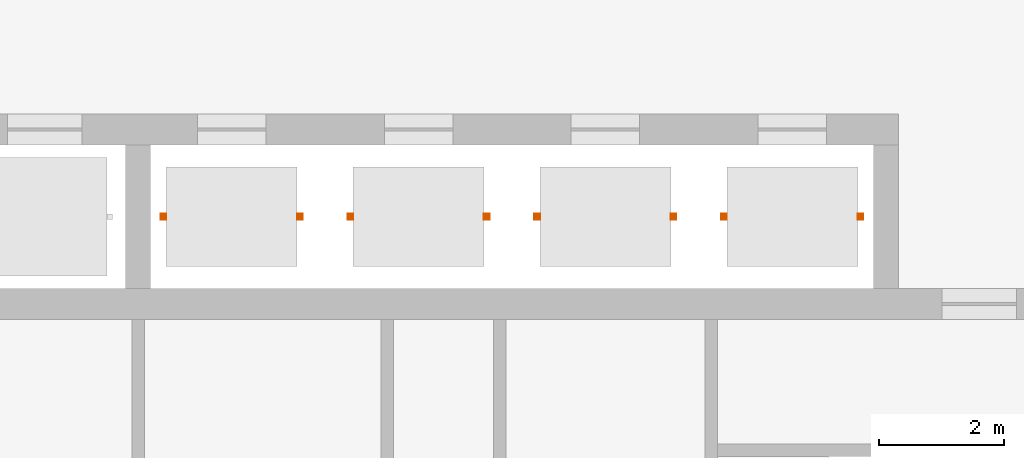
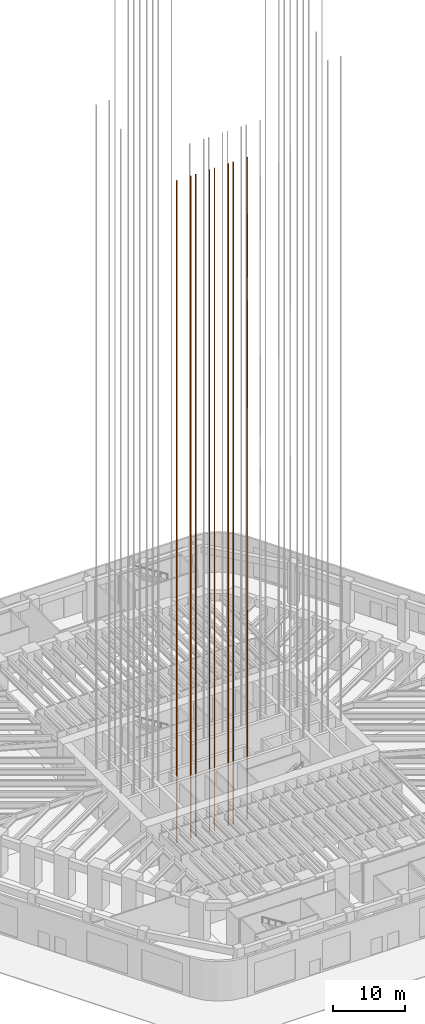
# One storey, part 17 of 23: 4 proxies.
"""IFC4 building model written with IfcOpenShell, lengths in metres."""

from ifc_helpers import new_model, si_unit, direction, frame, frame_2d, origin, origin_2d, place, context, subcontext, project, spatial, rectangle, extrude, material, element, save


model = new_model("IFC4")

# Units and contexts
model_context = context("Model", 3, precision=1e-05, world=origin(), true_north=direction((0.0, 1.0)))
body_context = subcontext(model_context, "Body", "Model", "MODEL_VIEW")
ifc_project = project(units=[si_unit("LENGTHUNIT", "METRE"), si_unit("AREAUNIT", "SQUARE_METRE"), si_unit("VOLUMEUNIT", "CUBIC_METRE"), si_unit("PLANEANGLEUNIT", "RADIAN"), si_unit("MASSUNIT", "GRAM", prefix="KILO")], contexts=[model_context])

# Site, building, storey
site_placement = place(None, origin())
site = spatial("IfcSite", under=ifc_project, at=site_placement, CompositionType="ELEMENT")
building_placement = place(site_placement, origin())
building = spatial("IfcBuilding", under=site, at=building_placement, Name="Tarfa Lantern Tower", CompositionType="ELEMENT")
storey_placement = place(building_placement, origin())
storey = spatial("IfcBuildingStorey", under=building, at=storey_placement, Name="L00", CompositionType="ELEMENT", Elevation=0.0)

# Proxies
ifc_material = material(Name="Steel S355", Category="steel")
for number, where, z_axis, x_axis, name in (
    (1, (0.405029296875, -3.39990234375, -4.5), (0.0, 0.0, 1.0), (1.0, 0.0, 0.0), "Guide rails PA5"),
    (2, (-2.594970703125, -3.39990234375, -4.5), (0.0, 0.0, 1.0), (1.0, 0.0, 0.0), "Guide rails PA6"),
    (3, (-5.594970703125, -3.39990234375, -4.5), (0.0, 0.0, 1.0), (1.0, 0.0, 0.0), "Guide rails PA7"),
    (4, (-8.594970703125, -3.39990234375, -4.5), (0.0, 0.0, 1.0), (1.0, 0.0, 0.0), "Guide rails PA8"),
):
    element("IfcBuildingElementProxy", number, at=place(storey_placement, frame(where, z_axis=z_axis, x_axis=x_axis)), inside=storey, material=ifc_material, Name=name, PredefinedType="NOTDEFINED", context=body_context, shape_type="SweptSolid", body=[
        extrude(rectangle(XDim=0.090087890625, YDim=0.090087890625, at=origin_2d()), origin(), (0.0, 0.0, 1.0), 111.64990234375),
        extrude(rectangle(XDim=0.090087890625, YDim=0.090087890625, at=frame_2d((2.18994140625, 0.0))), origin(), (0.0, 0.0, 1.0), 111.64990234375),
    ])

save(model, "model.ifc")
